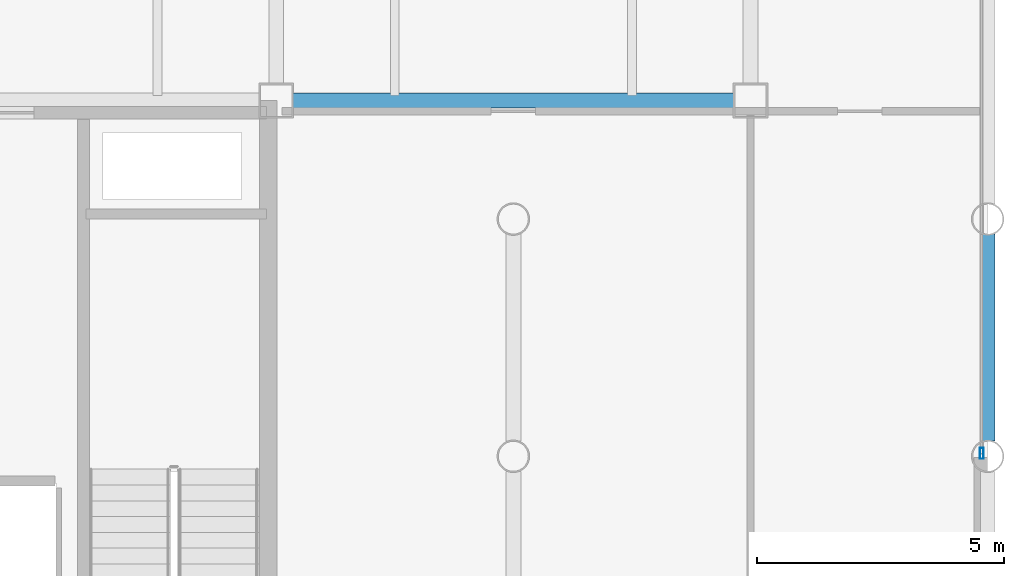
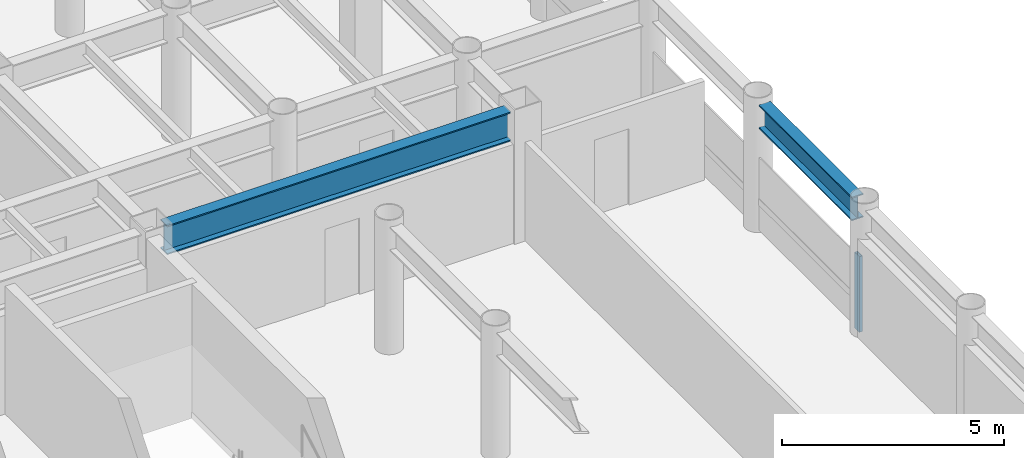
# One storey, part 8 of 20: 2 beams, 1 member, 1 element without a shape of its own.
"""IFC4 building model written with IfcOpenShell, lengths in metres."""

from ifc_helpers import new_model, si_unit, direction, frame, origin, origin_2d, place, context, subcontext, project, spatial, hollow_rectangle, i_section, extrude, material, layer, layer_set, material_profile, profile_set, type_object, element, aggregate, save


model = new_model("IFC4")

# Units and contexts
model_context = context("Model", 3, precision=1e-05, world=origin(), true_north=direction((0.0, 1.0)))
body_context = subcontext(model_context, "Body", "Model", "MODEL_VIEW")
ifc_project = project(units=[si_unit("LENGTHUNIT", "METRE"), si_unit("AREAUNIT", "SQUARE_METRE"), si_unit("VOLUMEUNIT", "CUBIC_METRE"), si_unit("PLANEANGLEUNIT", "RADIAN"), si_unit("MASSUNIT", "GRAM", prefix="KILO")], contexts=[model_context])

# Site, building, storey
site_placement = place(None, origin())
site = spatial("IfcSite", under=ifc_project, at=site_placement, CompositionType="ELEMENT")
building_placement = place(site_placement, origin())
building = spatial("IfcBuilding", under=site, at=building_placement, Name="Kallvorn Hotel Tower", CompositionType="ELEMENT")
storey_placement = place(building_placement, frame((0.0, 0.0, 135.89990234375)))
storey = spatial("IfcBuildingStorey", under=building, at=storey_placement, Name="L33", CompositionType="ELEMENT", Elevation=135.89990234375)

# Beams
ifc_material_1 = material(Name="Structural steel S355JR", Category="steel")
ifc_material_profile_1 = material_profile(ifc_material_1, i_section(OverallWidth=0.300048828125, OverallDepth=0.64990234375, WebThickness=0.01611328125, FlangeThickness=0.031005859375, at=origin_2d()), Name="HE 650 B")
ifc_profile_set_1 = profile_set([ifc_material_profile_1], Name="Structural steel S355JR")
beam_type_1 = type_object("IfcBeamType", Name="BM_HE650B", PredefinedType="BEAM", material=ifc_profile_set_1)
beam_1_placement = place(storey_placement, frame((28.800048828125, 0.304931640625, 3.195068359375), z_axis=(0.0, 1.0, 0.0), x_axis=(-1.0, 0.0, 0.0)))
element("IfcBeam", 1, at=beam_1_placement, inside=storey, type_object=beam_type_1, Name="L34 Primary Y-Girder 147", PredefinedType="BEAM", context=body_context, shape_type="SweptSolid", body=[
    extrude(i_section(OverallWidth=0.300048828125, OverallDepth=0.64990234375, WebThickness=0.01611328125, FlangeThickness=0.031005859375, at=origin_2d()), origin(), (0.0, 0.0, 1.0), 4.190185546875),
])
ifc_material_2 = material(Name="Structural steel S355JR", Category="steel")
ifc_material_profile_2 = material_profile(ifc_material_2, i_section(OverallWidth=0.300048828125, OverallDepth=0.800048828125, WebThickness=0.017578125, FlangeThickness=0.032958984375, at=origin_2d()), Name="HE 800 B")
ifc_profile_set_2 = profile_set([ifc_material_profile_2], Name="Structural steel S355JR")
beam_type_2 = type_object("IfcBeamType", Name="BM_HE800B", PredefinedType="BEAM", material=ifc_profile_set_2)
beam_2_placement = place(storey_placement, frame((14.72509765625, 7.199951171875, 3.1201171875), z_axis=(1.0, 0.0, 0.0), x_axis=(0.0, 1.0, 0.0)))
element("IfcBeam", 2, at=beam_2_placement, inside=storey, type_object=beam_type_2, Name="L34 Primary X-Girder 40", PredefinedType="BEAM", context=body_context, shape_type="SweptSolid", body=[
    extrude(i_section(OverallWidth=0.300048828125, OverallDepth=0.800048828125, WebThickness=0.017578125, FlangeThickness=0.032958984375, at=origin_2d()), origin(), (0.0, 0.0, 1.0), 8.949951171875),
])

# Curtain wall, member
ifc_material_3 = material(Name="Thermally broken black-anodised aluminium AA 6063-T6", Category="aluminium")
ifc_layer = layer(ifc_material_3, 0.2099609375)
ifc_layer_set = layer_set([ifc_layer], Name="CW_SYS_4_HOTEL_MID")
curtain_wall_type = type_object("IfcCurtainWallType", Name="CW_SYS_4_HOTEL_MID", PredefinedType="USERDEFINED", material=ifc_layer_set)
curtain_wall_placement = place(storey_placement, origin())
curtain_wall = element("IfcCurtainWall", 3, at=curtain_wall_placement, inside=storey, type_object=curtain_wall_type, Name="L33 Dark-Glass Curtain Wall CW-L33-EN", ObjectType="UNITISED CURTAIN WALL", PredefinedType="USERDEFINED")
ifc_material_4 = material(Name="Thermally broken black-anodised aluminium AA 6063-T6", Category="aluminium")
ifc_material_profile_3 = material_profile(ifc_material_4, hollow_rectangle(XDim=0.080078125, YDim=0.219970703125, WallThickness=0.0048828125, at=origin_2d()), Name="MUL 220x80")
ifc_profile_set_3 = profile_set([ifc_material_profile_3], Name="Thermally broken black-anodised aluminium AA 6063-T6")
member_type = type_object("IfcMemberType", Name="CW_MULLION_220x80", PredefinedType="MULLION", material=ifc_profile_set_3)
member_placement = place(storey_placement, frame((28.679931640625, 0.06005859375, 0.02001953125), z_axis=(0.0, 0.0, 1.0), x_axis=(1.0, 0.0, 0.0)))
member = element("IfcMember", 4, at=member_placement, type_object=member_type, Name="CW-L33-EN Mullion 00", PredefinedType="MULLION", context=body_context, shape_type="SweptSolid", body=[
    extrude(hollow_rectangle(XDim=0.080078125, YDim=0.219970703125, WallThickness=0.0048828125, at=origin_2d()), origin(), (0.0, 0.0, 1.0), 2.080078125),
])
aggregate(curtain_wall, [member])

save(model, "model.ifc")
